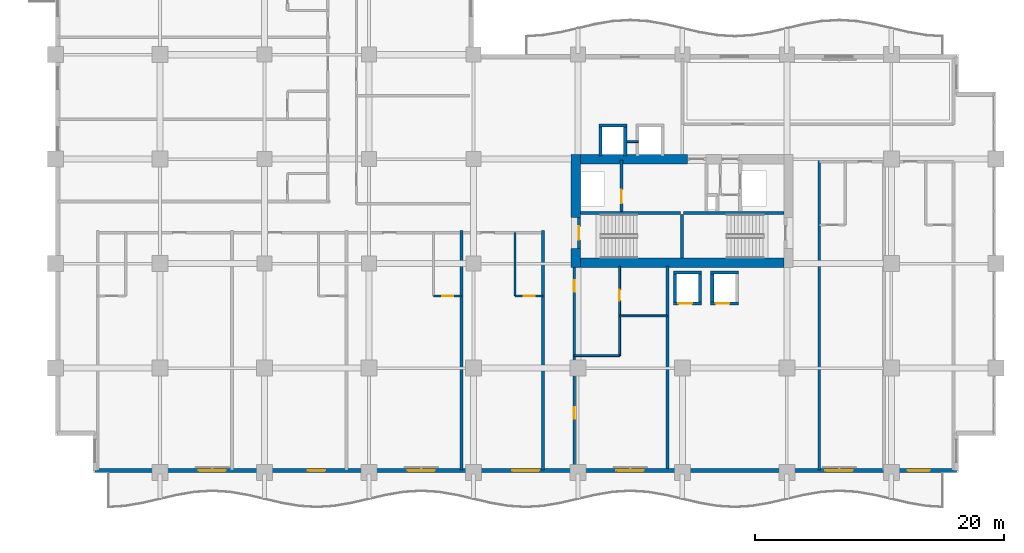
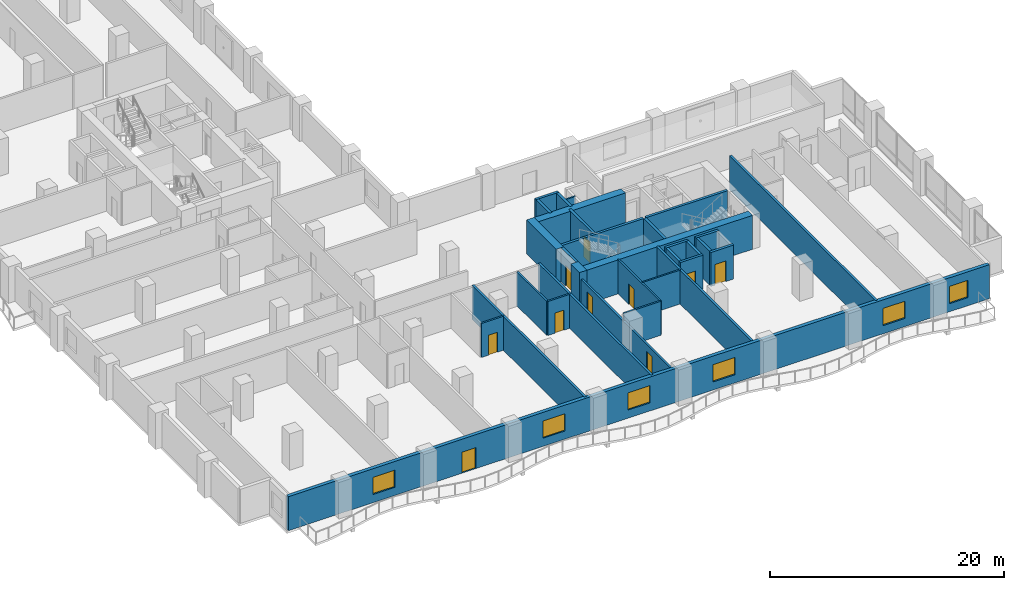
# One storey, part 10 of 23: 32 walls, 10 doors, 6 windows, 16 openings.
"""IFC4 building model written with IfcOpenShell, lengths in metres."""

from ifc_helpers import new_model, si_unit, direction, frame, frame_2d, origin, place, context, subcontext, project, spatial, rectangle, extrude, material, layer, layer_set, type_object, element, fill, save


model = new_model("IFC4")

# Units and contexts
model_context = context("Model", 3, precision=1e-05, world=origin(), true_north=direction((0.0, 1.0)))
body_context = subcontext(model_context, "Body", "Model", "MODEL_VIEW")
ifc_project = project(units=[si_unit("LENGTHUNIT", "METRE"), si_unit("AREAUNIT", "SQUARE_METRE"), si_unit("VOLUMEUNIT", "CUBIC_METRE"), si_unit("PLANEANGLEUNIT", "RADIAN"), si_unit("MASSUNIT", "GRAM", prefix="KILO")], contexts=[model_context])

# Site, building, storey
site_placement = place(None, origin())
site = spatial("IfcSite", under=ifc_project, at=site_placement, CompositionType="ELEMENT")
building_placement = place(site_placement, origin())
building = spatial("IfcBuilding", under=site, at=building_placement, Name="Koriwani Terraces Tower", CompositionType="ELEMENT")
storey_placement = place(building_placement, frame((0.0, 0.0, 119.0)))
storey = spatial("IfcBuildingStorey", under=building, at=storey_placement, Name="L28", CompositionType="ELEMENT", Elevation=119.0)

# Walls
ifc_material_1 = material(Name="Concrete C60/75", Category="concrete")
ifc_layer_1 = layer(ifc_material_1, 0.75, Name="Concrete C60/75")
ifc_layer_set_1 = layer_set([ifc_layer_1], Name="Concrete C60/75")
wall_type_1 = type_object("IfcWallType", Name="WALL_CORE_RC_750", PredefinedType="SHEAR", material=ifc_layer_set_1)
wall_1_placement = place(storey_placement, frame((41.824951171875, 16.5, 0.0), z_axis=(0.0, 0.0, 1.0), x_axis=(0.0, 1.0, 0.0)))
element("IfcWall", 1, at=wall_1_placement, inside=storey, type_object=wall_type_1, Name="L28 East Split Core Shear Wall W1", PredefinedType="SHEAR", context=body_context, shape_type="SweptSolid", body=[
    extrude(rectangle(XDim=1.5, YDim=0.75, at=frame_2d((0.75, 0.0))), origin(), (0.0, 0.0, 1.0), 3.550048828125),
])
wall_2_placement = place(storey_placement, frame((41.824951171875, 20.5, 0.0), z_axis=(0.0, 0.0, 1.0), x_axis=(0.0, 1.0, 0.0)))
element("IfcWall", 2, at=wall_2_placement, inside=storey, type_object=wall_type_1, Name="L28 East Split Core Shear Wall W2", PredefinedType="SHEAR", context=body_context, shape_type="SweptSolid", body=[
    extrude(rectangle(XDim=5.074951171875, YDim=0.75, at=frame_2d((2.53759765625, 0.0))), origin(), (0.0, 0.0, 1.0), 3.550048828125),
])
wall_3_placement = place(storey_placement, frame((42.199951171875, 16.875, 0.0), z_axis=(0.0, 0.0, 1.0), x_axis=(1.0, 0.0, 0.0)))
element("IfcWall", 3, at=wall_3_placement, inside=storey, type_object=wall_type_1, Name="L28 East Split Core Shear Wall S1", PredefinedType="SHEAR", context=body_context, shape_type="SweptSolid", body=[
    extrude(rectangle(XDim=16.35009765625, YDim=0.75, at=frame_2d((8.175048828125, 0.0))), origin(), (0.0, 0.0, 1.0), 3.550048828125),
])
wall_4_placement = place(storey_placement, frame((42.199951171875, 25.199951171875, 0.0), z_axis=(0.0, 0.0, 1.0), x_axis=(1.0, 0.0, 0.0)))
element("IfcWall", 4, at=wall_4_placement, inside=storey, type_object=wall_type_1, Name="L28 East Split Core Shear Wall N1", PredefinedType="SHEAR", context=body_context, shape_type="SweptSolid", body=[
    extrude(rectangle(XDim=8.60009765625, YDim=0.75, at=frame_2d((4.300048828125, 0.0))), origin(), (0.0, 0.0, 1.0), 3.550048828125),
])

# Wall, openings, doors
ifc_material_2 = material(Name="Autoclaved Cellular Concrete Blockwork", Category="masonry")
ifc_layer_2 = layer(ifc_material_2, 0.199951171875, Name="Autoclaved Cellular Concrete Blockwork")
ifc_layer_set_2 = layer_set([ifc_layer_2], Name="Autoclaved Cellular Concrete Blockwork")
wall_type_2 = type_object("IfcWallType", Name="WALL_CORRIDOR_200", PredefinedType="PARTITIONING", material=ifc_layer_set_2)
wall_5_placement = place(storey_placement, frame((41.699951171875, 0.35009765625, 0.0), z_axis=(0.0, 0.0, 1.0), x_axis=(0.0, 1.0, 0.0)))
wall_5 = element("IfcWall", 5, at=wall_5_placement, inside=storey, type_object=wall_type_2, Name="L28 Interior Wall WREC-EW-L28", PredefinedType="PARTITIONING", context=body_context, shape_type="SweptSolid", body=[
    extrude(rectangle(XDim=16.25, YDim=0.199951171875, at=frame_2d((8.125, 0.0))), origin(), (0.0, 0.0, 1.0), 2.800048828125),
])
opening_1_placement = place(wall_5_placement, frame((4.0, 0.0, 0.0)))
opening_1 = element("IfcOpeningElement", 6, at=opening_1_placement, cuts=wall_5, Name="Opening D-06", PredefinedType="OPENING", context=body_context, shape_type="SweptSolid", body=[
    extrude(rectangle(XDim=0.919921875, YDim=2.10009765625, at=frame_2d((0.4599609375, 1.050048828125))), frame((0.0, 0.10986328125, 0.0), z_axis=(0.0, -1.0, 0.0), x_axis=(1.0, 0.0, 0.0)), (0.0, 0.0, 1.0), 0.219970703125),
])
opening_2_placement = place(wall_5_placement, frame((14.199951171875, 0.0, 0.0)))
opening_2 = element("IfcOpeningElement", 7, at=opening_2_placement, cuts=wall_5, Name="Opening D-06", PredefinedType="OPENING", context=body_context, shape_type="SweptSolid", body=[
    extrude(rectangle(XDim=0.919921875, YDim=2.10009765625, at=frame_2d((0.4599609375, 1.050048828125))), frame((0.0, 0.10986328125, 0.0), z_axis=(0.0, -1.0, 0.0), x_axis=(1.0, 0.0, 0.0)), (0.0, 0.0, 1.0), 0.219970703125),
])
ifc_material_3 = material(Name="Architectural Oak Fire Door", Category="wood")
door_type_1 = type_object("IfcDoorType", Name="DOOR_ROOM_INT_920X2100", OperationType="NOTDEFINED", PredefinedType="DOOR", material=ifc_material_3)
door_1_placement = place(opening_1_placement, origin())
door_1 = element("IfcDoor", 8, at=door_1_placement, inside=storey, type_object=door_type_1, Name="L28 Floor Study Lounge Door", OperationType="SINGLE_SWING_LEFT", OverallHeight=2.10009765625, OverallWidth=0.919921875, PredefinedType="DOOR", context=body_context, shape_type="SweptSolid", body=[
    extrude(rectangle(XDim=0.919921875, YDim=2.10009765625, at=frame_2d((0.4599609375, 1.050048828125))), frame((0.0, 0.02490234375, 0.0), z_axis=(0.0, -1.0, 0.0), x_axis=(1.0, 0.0, 0.0)), (0.0, 0.0, 1.0), 0.050048828125),
])
fill(opening_1, door_1)
door_2_placement = place(opening_2_placement, origin())
door_2 = element("IfcDoor", 9, at=door_2_placement, inside=storey, type_object=door_type_1, Name="L28 Housekeeping Store Door", OperationType="SINGLE_SWING_RIGHT", OverallHeight=2.10009765625, OverallWidth=0.919921875, PredefinedType="DOOR", context=body_context, shape_type="SweptSolid", body=[
    extrude(rectangle(XDim=0.919921875, YDim=2.10009765625, at=frame_2d((0.4599609375, 1.050048828125))), frame((0.0, 0.02490234375, 0.0), z_axis=(0.0, -1.0, 0.0), x_axis=(1.0, 0.0, 0.0)), (0.0, 0.0, 1.0), 0.050048828125),
])
fill(opening_2, door_2)

# Walls
ifc_layer_3 = layer(ifc_material_2, 0.219970703125, Name="Autoclaved Cellular Concrete Blockwork")
ifc_layer_set_3 = layer_set([ifc_layer_3], Name="Autoclaved Cellular Concrete Blockwork")
wall_type_3 = type_object("IfcWallType", Name="WALL_DEMISING_220", PredefinedType="PARTITIONING", material=ifc_layer_set_3)
wall_6_placement = place(storey_placement, frame((49.199951171875, 0.35009765625, 0.0), z_axis=(0.0, 0.0, 1.0), x_axis=(0.0, 1.0, 0.0)))
element("IfcWall", 10, at=wall_6_placement, inside=storey, type_object=wall_type_3, Name="L28 Interior Wall WREC-EE-L28", PredefinedType="PARTITIONING", context=body_context, shape_type="SweptSolid", body=[
    extrude(rectangle(XDim=16.25, YDim=0.219970703125, at=frame_2d((8.125, 0.0))), origin(), (0.0, 0.0, 1.0), 3.550048828125),
])
for number, where, z_axis, x_axis, name in (
    (11, (32.64990234375, 0.199951171875, 0.0), (0.0, 0.0, 1.0), (0.0, 1.0, 0.0), "L28 Interior Wall WDEM-L28-SW-3"),
    (12, (39.199951171875, 0.199951171875, 0.0), (0.0, 0.0, 1.0), (0.0, 1.0, 0.0), "L28 Interior Wall WDEME-L28-SW"),
):
    element("IfcWall", number, at=place(storey_placement, frame(where, z_axis=z_axis, x_axis=x_axis)), inside=storey, type_object=wall_type_3, Name=name, PredefinedType="PARTITIONING", context=body_context, shape_type="SweptSolid", body=[
        extrude(rectangle(XDim=19.280029296875, YDim=0.219970703125, at=frame_2d((9.64013671875, 0.0))), origin(), (0.0, 0.0, 1.0), 3.550048828125),
    ])
wall_7_placement = place(storey_placement, frame((61.39990234375, 0.199951171875, 0.0), z_axis=(0.0, 0.0, 1.0), x_axis=(0.0, 1.0, 0.0)))
element("IfcWall", 13, at=wall_7_placement, inside=storey, type_object=wall_type_3, Name="L28 Interior Wall WDEM-L28-SE-0", PredefinedType="PARTITIONING", context=body_context, shape_type="SweptSolid", body=[
    extrude(rectangle(XDim=24.97998046875, YDim=0.219970703125, at=frame_2d((12.489990234375, 0.0))), origin(), (0.0, 0.0, 1.0), 3.550048828125),
])

# Wall, openings, door, windows
ifc_material_4 = material(Name="Concrete C50/60", Category="concrete")
ifc_layer_4 = layer(ifc_material_4, 0.35009765625, Name="Concrete C50/60")
ifc_layer_set_4 = layer_set([ifc_layer_4], Name="Concrete C50/60")
wall_type_4 = type_object("IfcWallType", Name="WALL_EXT_BRUTALIST_350", PredefinedType="STANDARD", material=ifc_layer_set_4)
wall_8_placement = place(storey_placement, frame((72.425048828125, 0.175048828125, 0.0), z_axis=(0.0, 0.0, 1.0), x_axis=(-1.0, 0.0, 0.0)))
wall_8 = element("IfcWall", 14, at=wall_8_placement, inside=storey, type_object=wall_type_4, Name="L28 Fair-Faced Brutalist Exterior Wall (S)", PredefinedType="STANDARD", context=body_context, shape_type="SweptSolid", body=[
    extrude(rectangle(XDim=69.25, YDim=0.35009765625, at=frame_2d((34.625, 0.0))), origin(), (0.0, 0.0, 1.0), 3.550048828125),
])
opening_3_placement = place(wall_8_placement, frame((50.72509765625, 0.0, 0.0)))
opening_3 = element("IfcOpeningElement", 15, at=opening_3_placement, cuts=wall_8, Name="Opening D-09", PredefinedType="OPENING", context=body_context, shape_type="SweptSolid", body=[
    extrude(rectangle(XDim=1.39990234375, YDim=2.199951171875, at=frame_2d((0.699951171875, 1.10009765625))), frame((0.0, 0.18505859375, 0.0), z_axis=(0.0, -1.0, 0.0), x_axis=(1.0, 0.0, 0.0)), (0.0, 0.0, 1.0), 0.3701171875),
])
opening_4_placement = place(wall_8_placement, frame((58.72509765625, 0.0, 0.85009765625)))
opening_4 = element("IfcOpeningElement", 16, at=opening_4_placement, cuts=wall_8, Name="Opening W-01", PredefinedType="OPENING", context=body_context, shape_type="SweptSolid", body=[
    extrude(rectangle(XDim=2.199951171875, YDim=1.800048828125, at=frame_2d((1.10009765625, 0.89990234375))), frame((0.0, 0.18505859375, 0.0), z_axis=(0.0, -1.0, 0.0), x_axis=(1.0, 0.0, 0.0)), (0.0, 0.0, 1.0), 0.3701171875),
])
opening_5_placement = place(wall_8_placement, frame((41.925048828125, 0.0, 0.85009765625)))
opening_5 = element("IfcOpeningElement", 17, at=opening_5_placement, cuts=wall_8, Name="Opening W-01", PredefinedType="OPENING", context=body_context, shape_type="SweptSolid", body=[
    extrude(rectangle(XDim=2.199951171875, YDim=1.800048828125, at=frame_2d((1.10009765625, 0.89990234375))), frame((0.0, 0.18505859375, 0.0), z_axis=(0.0, -1.0, 0.0), x_axis=(1.0, 0.0, 0.0)), (0.0, 0.0, 1.0), 0.3701171875),
])
opening_6_placement = place(wall_8_placement, frame((33.52490234375, 0.0, 0.85009765625)))
opening_6 = element("IfcOpeningElement", 18, at=opening_6_placement, cuts=wall_8, Name="Opening W-01", PredefinedType="OPENING", context=body_context, shape_type="SweptSolid", body=[
    extrude(rectangle(XDim=2.199951171875, YDim=1.800048828125, at=frame_2d((1.10009765625, 0.89990234375))), frame((0.0, 0.18505859375, 0.0), z_axis=(0.0, -1.0, 0.0), x_axis=(1.0, 0.0, 0.0)), (0.0, 0.0, 1.0), 0.3701171875),
])
opening_7_placement = place(wall_8_placement, frame((25.125, 0.0, 0.85009765625)))
opening_7 = element("IfcOpeningElement", 19, at=opening_7_placement, cuts=wall_8, Name="Opening W-01", PredefinedType="OPENING", context=body_context, shape_type="SweptSolid", body=[
    extrude(rectangle(XDim=2.199951171875, YDim=1.800048828125, at=frame_2d((1.10009765625, 0.89990234375))), frame((0.0, 0.18505859375, 0.0), z_axis=(0.0, -1.0, 0.0), x_axis=(1.0, 0.0, 0.0)), (0.0, 0.0, 1.0), 0.3701171875),
])
opening_8_placement = place(wall_8_placement, frame((8.324951171875, 0.0, 0.85009765625)))
opening_8 = element("IfcOpeningElement", 20, at=opening_8_placement, cuts=wall_8, Name="Opening W-01", PredefinedType="OPENING", context=body_context, shape_type="SweptSolid", body=[
    extrude(rectangle(XDim=2.199951171875, YDim=1.800048828125, at=frame_2d((1.10009765625, 0.89990234375))), frame((0.0, 0.18505859375, 0.0), z_axis=(0.0, -1.0, 0.0), x_axis=(1.0, 0.0, 0.0)), (0.0, 0.0, 1.0), 0.3701171875),
])
opening_9_placement = place(wall_8_placement, frame((2.125, 0.0, 0.85009765625)))
opening_9 = element("IfcOpeningElement", 21, at=opening_9_placement, cuts=wall_8, Name="Opening W-04", PredefinedType="OPENING", context=body_context, shape_type="SweptSolid", body=[
    extrude(rectangle(XDim=1.800048828125, YDim=1.800048828125, at=frame_2d((0.89990234375, 0.89990234375))), frame((0.0, 0.18505859375, 0.0), z_axis=(0.0, -1.0, 0.0), x_axis=(1.0, 0.0, 0.0)), (0.0, 0.0, 1.0), 0.3701171875),
])
ifc_material_5 = material(Name="Anodised Bronze Aluminium", Category="aluminium")
door_type_2 = type_object("IfcDoorType", Name="DOOR_BALCONY_GLAZED_1400X2200", OperationType="NOTDEFINED", PredefinedType="DOOR", material=ifc_material_5)
door_3_placement = place(opening_3_placement, origin())
door_3 = element("IfcDoor", 22, at=door_3_placement, inside=storey, type_object=door_type_2, Name="L28 South Balcony Glazed Door", OperationType="SINGLE_SWING_LEFT", OverallHeight=2.199951171875, OverallWidth=1.39990234375, PredefinedType="DOOR", context=body_context, shape_type="SweptSolid", body=[
    extrude(rectangle(XDim=1.39990234375, YDim=2.199951171875, at=frame_2d((0.699951171875, 1.10009765625))), frame((0.0, 0.02490234375, 0.0), z_axis=(0.0, -1.0, 0.0), x_axis=(1.0, 0.0, 0.0)), (0.0, 0.0, 1.0), 0.050048828125),
])
fill(opening_3, door_3)
ifc_material_6 = material(Name="Tempered Laminated Low-E Glass", Category="glass")
window_type_1 = type_object("IfcWindowType", Name="WIN_HOTEL_STD_2200X1800", PartitioningType="DOUBLE_PANEL_VERTICAL", PredefinedType="WINDOW", material=ifc_material_6)
window_1_placement = place(opening_4_placement, origin())
window_1 = element("IfcWindow", 23, at=window_1_placement, inside=storey, type_object=window_type_1, Name="L28 Exterior Window (S-3)", OverallHeight=1.800048828125, OverallWidth=2.199951171875, PartitioningType="SINGLE_PANEL", PredefinedType="WINDOW", context=body_context, shape_type="SweptSolid", body=[
    extrude(rectangle(XDim=2.199951171875, YDim=1.800048828125, at=frame_2d((1.10009765625, 0.89990234375))), frame((0.0, 0.030029296875, 0.0), z_axis=(0.0, -1.0, 0.0), x_axis=(1.0, 0.0, 0.0)), (0.0, 0.0, 1.0), 0.06005859375),
])
fill(opening_4, window_1)
window_2_placement = place(opening_5_placement, origin())
window_2 = element("IfcWindow", 24, at=window_2_placement, inside=storey, type_object=window_type_1, Name="L28 Exterior Window (S-9)", OverallHeight=1.800048828125, OverallWidth=2.199951171875, PartitioningType="SINGLE_PANEL", PredefinedType="WINDOW", context=body_context, shape_type="SweptSolid", body=[
    extrude(rectangle(XDim=2.199951171875, YDim=1.800048828125, at=frame_2d((1.10009765625, 0.89990234375))), frame((0.0, 0.030029296875, 0.0), z_axis=(0.0, -1.0, 0.0), x_axis=(1.0, 0.0, 0.0)), (0.0, 0.0, 1.0), 0.06005859375),
])
fill(opening_5, window_2)
window_3_placement = place(opening_6_placement, origin())
window_3 = element("IfcWindow", 25, at=window_3_placement, inside=storey, type_object=window_type_1, Name="L28 Exterior Window (S-12)", OverallHeight=1.800048828125, OverallWidth=2.199951171875, PartitioningType="SINGLE_PANEL", PredefinedType="WINDOW", context=body_context, shape_type="SweptSolid", body=[
    extrude(rectangle(XDim=2.199951171875, YDim=1.800048828125, at=frame_2d((1.10009765625, 0.89990234375))), frame((0.0, 0.030029296875, 0.0), z_axis=(0.0, -1.0, 0.0), x_axis=(1.0, 0.0, 0.0)), (0.0, 0.0, 1.0), 0.06005859375),
])
fill(opening_6, window_3)
window_4_placement = place(opening_7_placement, origin())
window_4 = element("IfcWindow", 26, at=window_4_placement, inside=storey, type_object=window_type_1, Name="L28 Exterior Window (S-15)", OverallHeight=1.800048828125, OverallWidth=2.199951171875, PartitioningType="SINGLE_PANEL", PredefinedType="WINDOW", context=body_context, shape_type="SweptSolid", body=[
    extrude(rectangle(XDim=2.199951171875, YDim=1.800048828125, at=frame_2d((1.10009765625, 0.89990234375))), frame((0.0, 0.030029296875, 0.0), z_axis=(0.0, -1.0, 0.0), x_axis=(1.0, 0.0, 0.0)), (0.0, 0.0, 1.0), 0.06005859375),
])
fill(opening_7, window_4)
window_5_placement = place(opening_8_placement, origin())
window_5 = element("IfcWindow", 27, at=window_5_placement, inside=storey, type_object=window_type_1, Name="L28 Exterior Window (S-21)", OverallHeight=1.800048828125, OverallWidth=2.199951171875, PartitioningType="SINGLE_PANEL", PredefinedType="WINDOW", context=body_context, shape_type="SweptSolid", body=[
    extrude(rectangle(XDim=2.199951171875, YDim=1.800048828125, at=frame_2d((1.10009765625, 0.89990234375))), frame((0.0, 0.030029296875, 0.0), z_axis=(0.0, -1.0, 0.0), x_axis=(1.0, 0.0, 0.0)), (0.0, 0.0, 1.0), 0.06005859375),
])
fill(opening_8, window_5)
window_type_2 = type_object("IfcWindowType", Name="WIN_RES_BED_1800X1800", PartitioningType="DOUBLE_PANEL_VERTICAL", PredefinedType="WINDOW", material=ifc_material_6)
window_6_placement = place(opening_9_placement, origin())
window_6 = element("IfcWindow", 28, at=window_6_placement, inside=storey, type_object=window_type_2, Name="L28 Exterior Window (S-R54)", OverallHeight=1.800048828125, OverallWidth=1.800048828125, PartitioningType="SINGLE_PANEL", PredefinedType="WINDOW", context=body_context, shape_type="SweptSolid", body=[
    extrude(rectangle(XDim=1.800048828125, YDim=1.800048828125, at=frame_2d((0.89990234375, 0.89990234375))), frame((0.0, 0.030029296875, 0.0), z_axis=(0.0, -1.0, 0.0), x_axis=(1.0, 0.0, 0.0)), (0.0, 0.0, 1.0), 0.06005859375),
])
fill(opening_9, window_6)

# Wall, opening, door
ifc_material_7 = material(Name="Fire-Rated Acoustic Gypsum Partition", Category="masonry")
ifc_layer_5 = layer(ifc_material_7, 0.179931640625, Name="Fire-Rated Acoustic Gypsum Partition")
ifc_layer_set_5 = layer_set([ifc_layer_5], Name="Fire-Rated Acoustic Gypsum Partition")
wall_type_5 = type_object("IfcWallType", Name="WALL_PLUMBING_180", PredefinedType="PLUMBINGWALL", material=ifc_layer_set_5)
wall_9_placement = place(storey_placement, frame((30.39990234375, 14.199951171875, 0.0), z_axis=(0.0, 0.0, 1.0), x_axis=(1.0, 0.0, 0.0)))
wall_9 = element("IfcWall", 29, at=wall_9_placement, inside=storey, type_object=wall_type_5, Name="L28 Interior Wall WBTH1-L28-SW-2", PredefinedType="PLUMBINGWALL", context=body_context, shape_type="SweptSolid", body=[
    extrude(rectangle(XDim=2.25, YDim=0.179931640625, at=frame_2d((1.125, 0.0))), origin(), (0.0, 0.0, 1.0), 3.550048828125),
])
opening_10_placement = place(wall_9_placement, frame((0.675048828125, 0.0, 0.0)))
opening_10 = element("IfcOpeningElement", 30, at=opening_10_placement, cuts=wall_9, Name="Opening D-07", PredefinedType="OPENING", context=body_context, shape_type="SweptSolid", body=[
    extrude(rectangle(XDim=0.89990234375, YDim=2.10009765625, at=frame_2d((0.449951171875, 1.050048828125))), frame((0.0, 0.10009765625, 0.0), z_axis=(0.0, -1.0, 0.0), x_axis=(1.0, 0.0, 0.0)), (0.0, 0.0, 1.0), 0.199951171875),
])
door_type_3 = type_object("IfcDoorType", Name="DOOR_BATH_INT_900X2100", OperationType="NOTDEFINED", PredefinedType="DOOR", material=ifc_material_3)
door_4_placement = place(opening_10_placement, origin())
door_4 = element("IfcDoor", 31, at=door_4_placement, inside=storey, type_object=door_type_3, Name="En-Suite Bathroom 28SW3 Door", OperationType="SINGLE_SWING_RIGHT", OverallHeight=2.10009765625, OverallWidth=0.89990234375, PredefinedType="DOOR", context=body_context, shape_type="SweptSolid", body=[
    extrude(rectangle(XDim=0.89990234375, YDim=2.10009765625, at=frame_2d((0.449951171875, 1.050048828125))), frame((0.0, 0.02490234375, 0.0), z_axis=(0.0, -1.0, 0.0), x_axis=(1.0, 0.0, 0.0)), (0.0, 0.0, 1.0), 0.050048828125),
])
fill(opening_10, door_4)

wall_10_placement = place(storey_placement, frame((36.949951171875, 14.199951171875, 0.0), z_axis=(0.0, 0.0, 1.0), x_axis=(1.0, 0.0, 0.0)))
wall_10 = element("IfcWall", 32, at=wall_10_placement, inside=storey, type_object=wall_type_5, Name="L28 Interior Wall WBTH1-L28-SW-3", PredefinedType="PLUMBINGWALL", context=body_context, shape_type="SweptSolid", body=[
    extrude(rectangle(XDim=2.25, YDim=0.179931640625, at=frame_2d((1.125, 0.0))), origin(), (0.0, 0.0, 1.0), 3.550048828125),
])
opening_11_placement = place(wall_10_placement, frame((0.675048828125, 0.0, 0.0)))
opening_11 = element("IfcOpeningElement", 33, at=opening_11_placement, cuts=wall_10, Name="Opening D-07", PredefinedType="OPENING", context=body_context, shape_type="SweptSolid", body=[
    extrude(rectangle(XDim=0.89990234375, YDim=2.10009765625, at=frame_2d((0.449951171875, 1.050048828125))), frame((0.0, 0.10009765625, 0.0), z_axis=(0.0, -1.0, 0.0), x_axis=(1.0, 0.0, 0.0)), (0.0, 0.0, 1.0), 0.199951171875),
])
door_5_placement = place(opening_11_placement, origin())
door_5 = element("IfcDoor", 34, at=door_5_placement, inside=storey, type_object=door_type_3, Name="En-Suite Bathroom 28SW4 Door", OperationType="SINGLE_SWING_RIGHT", OverallHeight=2.10009765625, OverallWidth=0.89990234375, PredefinedType="DOOR", context=body_context, shape_type="SweptSolid", body=[
    extrude(rectangle(XDim=0.89990234375, YDim=2.10009765625, at=frame_2d((0.449951171875, 1.050048828125))), frame((0.0, 0.02490234375, 0.0), z_axis=(0.0, -1.0, 0.0), x_axis=(1.0, 0.0, 0.0)), (0.0, 0.0, 1.0), 0.050048828125),
])
fill(opening_11, door_5)

# Walls
wall_11_placement = place(storey_placement, frame((36.949951171875, 14.199951171875, 0.0), z_axis=(0.0, 0.0, 1.0), x_axis=(0.0, 1.0, 0.0)))
element("IfcWall", 35, at=wall_11_placement, inside=storey, type_object=wall_type_5, Name="L28 Interior Wall WBTH2-L28-SW-3", PredefinedType="PLUMBINGWALL", context=body_context, shape_type="SweptSolid", body=[
    extrude(rectangle(XDim=5.10009765625, YDim=0.179931640625, at=frame_2d((2.550048828125, 0.0))), origin(), (0.0, 0.0, 1.0), 3.550048828125),
])
ifc_material_8 = material(Name="Concrete C40/50", Category="concrete")
ifc_layer_6 = layer(ifc_material_8, 0.25, Name="Concrete C40/50")
ifc_layer_set_6 = layer_set([ifc_layer_6], Name="Concrete C40/50")
wall_type_6 = type_object("IfcWallType", Name="WALL_SHAFT_RATED_250", PredefinedType="SOLIDWALL", material=ifc_layer_set_6)
for number, where, z_axis, x_axis, name in (
    (36, (42.199951171875, 20.875, 0.0), (0.0, 0.0, 1.0), (1.0, 0.0, 0.0), "L28 East Split Core Web Wall MID1"),
    (37, (50.5, 20.875, 0.0), (0.0, 0.0, 1.0), (1.0, 0.0, 0.0), "L28 East Split Core Web Wall MID2"),
):
    element("IfcWall", number, at=place(storey_placement, frame(where, z_axis=z_axis, x_axis=x_axis)), inside=storey, type_object=wall_type_6, Name=name, PredefinedType="SOLIDWALL", context=body_context, shape_type="SweptSolid", body=[
        extrude(rectangle(XDim=8.050048828125, YDim=0.25, at=frame_2d((4.02490234375, 0.0))), origin(), (0.0, 0.0, 1.0), 3.550048828125),
    ])
wall_12_placement = place(storey_placement, frame((50.375, 17.25, 0.0), z_axis=(0.0, 0.0, 1.0), x_axis=(0.0, 1.0, 0.0)))
element("IfcWall", 38, at=wall_12_placement, inside=storey, type_object=wall_type_6, Name="L28 East Split Core Stair Dividing Wall", PredefinedType="SOLIDWALL", context=body_context, shape_type="SweptSolid", body=[
    extrude(rectangle(XDim=3.5, YDim=0.25, at=frame_2d((1.75, 0.0))), origin(), (0.0, 0.0, 1.0), 3.550048828125),
])

# Wall, opening, door
wall_13_placement = place(storey_placement, frame((42.074951171875, 18.0, 0.0), z_axis=(0.0, 0.0, 1.0), x_axis=(0.0, 1.0, 0.0)))
wall_13 = element("IfcWall", 39, at=wall_13_placement, inside=storey, type_object=wall_type_6, Name="L28 Interior Wall WIN-CE-L28-STW", PredefinedType="SOLIDWALL", context=body_context, shape_type="SweptSolid", body=[
    extrude(rectangle(XDim=2.5, YDim=0.25, at=frame_2d((1.25, 0.0))), origin(), (0.0, 0.0, 1.0), 3.550048828125),
])
opening_12_placement = place(wall_13_placement, frame((0.699951171875, 0.0, 0.0)))
opening_12 = element("IfcOpeningElement", 40, at=opening_12_placement, cuts=wall_13, Name="Opening D-03", PredefinedType="OPENING", context=body_context, shape_type="SweptSolid", body=[
    extrude(rectangle(XDim=1.10009765625, YDim=2.14990234375, at=frame_2d((0.550048828125, 1.074951171875))), frame((0.0, 0.135009765625, 0.0), z_axis=(0.0, -1.0, 0.0), x_axis=(1.0, 0.0, 0.0)), (0.0, 0.0, 1.0), 0.27001953125),
])
ifc_material_9 = material(Name="Steel ASTM A572 Grade 50", Category="steel")
door_type_4 = type_object("IfcDoorType", Name="DOOR_STAIR_FIRE_1100X2150", OperationType="NOTDEFINED", PredefinedType="DOOR", material=ifc_material_9)
door_6_placement = place(opening_12_placement, origin())
door_6 = element("IfcDoor", 41, at=door_6_placement, inside=storey, type_object=door_type_4, Name="L28 Exit Stair ST-E1 Door", OperationType="SINGLE_SWING_RIGHT", OverallHeight=2.14990234375, OverallWidth=1.10009765625, PredefinedType="DOOR", context=body_context, shape_type="SweptSolid", body=[
    extrude(rectangle(XDim=1.10009765625, YDim=2.14990234375, at=frame_2d((0.550048828125, 1.074951171875))), frame((0.0, 0.02490234375, 0.0), z_axis=(0.0, -1.0, 0.0), x_axis=(1.0, 0.0, 0.0)), (0.0, 0.0, 1.0), 0.050048828125),
])
fill(opening_12, door_6)

wall_14_placement = place(storey_placement, frame((45.5, 21.0, 0.0), z_axis=(0.0, 0.0, 1.0), x_axis=(0.0, 1.0, 0.0)))
wall_14 = element("IfcWall", 42, at=wall_14_placement, inside=storey, type_object=wall_type_6, Name="L28 Interior Wall WIN-CE-L28-FE", PredefinedType="SOLIDWALL", context=body_context, shape_type="SweptSolid", body=[
    extrude(rectangle(XDim=4.14990234375, YDim=0.25, at=frame_2d((2.074951171875, 0.0))), origin(), (0.0, 0.0, 1.0), 3.550048828125),
])
opening_13_placement = place(wall_14_placement, frame((0.64990234375, 0.0, 0.0)))
opening_13 = element("IfcOpeningElement", 43, at=opening_13_placement, cuts=wall_14, Name="Opening LD-01", PredefinedType="OPENING", context=body_context, shape_type="SweptSolid", body=[
    extrude(rectangle(XDim=1.10009765625, YDim=2.14990234375, at=frame_2d((0.550048828125, 1.074951171875))), frame((0.0, 0.135009765625, 0.0), z_axis=(0.0, -1.0, 0.0), x_axis=(1.0, 0.0, 0.0)), (0.0, 0.0, 1.0), 0.27001953125),
])
door_type_5 = type_object("IfcDoorType", Name="DOOR_LIFT_LANDING_1100X2200", OperationType="NOTDEFINED", PredefinedType="DOOR", material=ifc_material_9)
door_7_placement = place(opening_13_placement, origin())
door_7 = element("IfcDoor", 44, at=door_7_placement, inside=storey, type_object=door_type_5, Name="L28 Firefighting Lift FE-02 Landing Door", OperationType="SLIDING_TO_LEFT", OverallHeight=2.14990234375, OverallWidth=1.10009765625, PredefinedType="DOOR", context=body_context, shape_type="SweptSolid", body=[
    extrude(rectangle(XDim=1.10009765625, YDim=2.14990234375, at=frame_2d((0.550048828125, 1.074951171875))), frame((0.0, 0.02490234375, 0.0), z_axis=(0.0, -1.0, 0.0), x_axis=(1.0, 0.0, 0.0)), (0.0, 0.0, 1.0), 0.050048828125),
])
fill(opening_13, door_7)

wall_15_placement = place(storey_placement, frame((49.675048828125, 13.60009765625, 0.0), z_axis=(0.0, 0.0, 1.0), x_axis=(1.0, 0.0, 0.0)))
wall_15 = element("IfcWall", 45, at=wall_15_placement, inside=storey, type_object=wall_type_6, Name="L28 Interior Wall WIN-LF-PE-M3-L28-F", PredefinedType="SOLIDWALL", context=body_context, shape_type="SweptSolid", body=[
    extrude(rectangle(XDim=2.25, YDim=0.25, at=frame_2d((1.125, 0.0))), origin(), (0.0, 0.0, 1.0), 3.550048828125),
])
opening_14_placement = place(wall_15_placement, frame((0.39990234375, 0.0, 0.0)))
opening_14 = element("IfcOpeningElement", 46, at=opening_14_placement, cuts=wall_15, Name="Opening LD-01", PredefinedType="OPENING", context=body_context, shape_type="SweptSolid", body=[
    extrude(rectangle(XDim=1.10009765625, YDim=2.14990234375, at=frame_2d((0.550048828125, 1.074951171875))), frame((0.0, 0.135009765625, 0.0), z_axis=(0.0, -1.0, 0.0), x_axis=(1.0, 0.0, 0.0)), (0.0, 0.0, 1.0), 0.27001953125),
])
door_8_placement = place(opening_14_placement, origin())
door_8 = element("IfcDoor", 47, at=door_8_placement, inside=storey, type_object=door_type_5, Name="L28 Passenger Lift PE-M3 Landing Door", OperationType="SLIDING_TO_LEFT", OverallHeight=2.14990234375, OverallWidth=1.10009765625, PredefinedType="DOOR", context=body_context, shape_type="SweptSolid", body=[
    extrude(rectangle(XDim=1.10009765625, YDim=2.14990234375, at=frame_2d((0.550048828125, 1.074951171875))), frame((0.0, 0.02490234375, 0.0), z_axis=(0.0, -1.0, 0.0), x_axis=(1.0, 0.0, 0.0)), (0.0, 0.0, 1.0), 0.050048828125),
])
fill(opening_14, door_8)

# Walls
for number, where, z_axis, x_axis, name in (
    (48, (49.675048828125, 16.10009765625, 0.0), (0.0, 0.0, 1.0), (1.0, 0.0, 0.0), "L28 Interior Wall WIN-LF-PE-M3-L28-B"),
    (49, (49.800048828125, 13.72509765625, 0.0), (0.0, 0.0, 1.0), (0.0, 1.0, 0.0), "L28 Interior Wall WIN-LF-PE-M3-L28-W"),
    (50, (51.800048828125, 13.72509765625, 0.0), (0.0, 0.0, 1.0), (0.0, 1.0, 0.0), "L28 Interior Wall WIN-LF-PE-M3-L28-E"),
):
    element("IfcWall", number, at=place(storey_placement, frame(where, z_axis=z_axis, x_axis=x_axis)), inside=storey, type_object=wall_type_6, Name=name, PredefinedType="SOLIDWALL", context=body_context, shape_type="SweptSolid", body=[
        extrude(rectangle(XDim=2.25, YDim=0.25, at=frame_2d((1.125, 0.0))), origin(), (0.0, 0.0, 1.0), 3.550048828125),
    ])

# Wall, opening, door
wall_16_placement = place(storey_placement, frame((52.675048828125, 13.60009765625, 0.0), z_axis=(0.0, 0.0, 1.0), x_axis=(1.0, 0.0, 0.0)))
wall_16 = element("IfcWall", 51, at=wall_16_placement, inside=storey, type_object=wall_type_6, Name="L28 Interior Wall WIN-LF-PE-M4-L28-F", PredefinedType="SOLIDWALL", context=body_context, shape_type="SweptSolid", body=[
    extrude(rectangle(XDim=2.25, YDim=0.25, at=frame_2d((1.125, 0.0))), origin(), (0.0, 0.0, 1.0), 3.550048828125),
])
opening_15_placement = place(wall_16_placement, frame((0.39990234375, 0.0, 0.0)))
opening_15 = element("IfcOpeningElement", 52, at=opening_15_placement, cuts=wall_16, Name="Opening LD-01", PredefinedType="OPENING", context=body_context, shape_type="SweptSolid", body=[
    extrude(rectangle(XDim=1.10009765625, YDim=2.14990234375, at=frame_2d((0.550048828125, 1.074951171875))), frame((0.0, 0.135009765625, 0.0), z_axis=(0.0, -1.0, 0.0), x_axis=(1.0, 0.0, 0.0)), (0.0, 0.0, 1.0), 0.27001953125),
])
door_9_placement = place(opening_15_placement, origin())
door_9 = element("IfcDoor", 53, at=door_9_placement, inside=storey, type_object=door_type_5, Name="L28 Passenger Lift PE-M4 Landing Door", OperationType="SLIDING_TO_LEFT", OverallHeight=2.14990234375, OverallWidth=1.10009765625, PredefinedType="DOOR", context=body_context, shape_type="SweptSolid", body=[
    extrude(rectangle(XDim=1.10009765625, YDim=2.14990234375, at=frame_2d((0.550048828125, 1.074951171875))), frame((0.0, 0.02490234375, 0.0), z_axis=(0.0, -1.0, 0.0), x_axis=(1.0, 0.0, 0.0)), (0.0, 0.0, 1.0), 0.050048828125),
])
fill(opening_15, door_9)

# Walls
for number, where, z_axis, x_axis, name in (
    (54, (52.675048828125, 16.10009765625, 0.0), (0.0, 0.0, 1.0), (1.0, 0.0, 0.0), "L28 Interior Wall WIN-LF-PE-M4-L28-B"),
    (55, (52.800048828125, 13.72509765625, 0.0), (0.0, 0.0, 1.0), (0.0, 1.0, 0.0), "L28 Interior Wall WIN-LF-PE-M4-L28-W"),
    (56, (43.675048828125, 27.89990234375, 0.0), (0.0, 0.0, 1.0), (1.0, 0.0, 0.0), "L28 Interior Wall WIN-LF-PE-H3-L28-F"),
):
    element("IfcWall", number, at=place(storey_placement, frame(where, z_axis=z_axis, x_axis=x_axis)), inside=storey, type_object=wall_type_6, Name=name, PredefinedType="SOLIDWALL", context=body_context, shape_type="SweptSolid", body=[
        extrude(rectangle(XDim=2.25, YDim=0.25, at=frame_2d((1.125, 0.0))), origin(), (0.0, 0.0, 1.0), 3.550048828125),
    ])
for number, where, z_axis, x_axis, name in (
    (57, (43.800048828125, 25.449951171875, 0.0), (0.0, 0.0, 1.0), (0.0, 1.0, 0.0), "L28 Interior Wall WIN-LF-PE-H3-L28-W"),
    (58, (45.800048828125, 25.449951171875, 0.0), (0.0, 0.0, 1.0), (0.0, 1.0, 0.0), "L28 Interior Wall WIN-LF-PE-H3-L28-E"),
):
    element("IfcWall", number, at=place(storey_placement, frame(where, z_axis=z_axis, x_axis=x_axis)), inside=storey, type_object=wall_type_6, Name=name, PredefinedType="SOLIDWALL", context=body_context, shape_type="SweptSolid", body=[
        extrude(rectangle(XDim=2.324951171875, YDim=0.25, at=frame_2d((1.16259765625, 0.0))), origin(), (0.0, 0.0, 1.0), 3.550048828125),
    ])
ifc_layer_7 = layer(ifc_material_7, 0.159912109375, Name="Fire-Rated Acoustic Gypsum Partition")
ifc_layer_set_7 = layer_set([ifc_layer_7], Name="Fire-Rated Acoustic Gypsum Partition")
wall_type_7 = type_object("IfcWallType", Name="WALL_SUITE_160", PredefinedType="PARTITIONING", material=ifc_layer_set_7)
wall_17_placement = place(storey_placement, frame((45.9599609375, 26.60009765625, 0.0), z_axis=(0.0, 0.0, 1.0), x_axis=(1.0, 0.0, 0.0)))
element("IfcWall", 59, at=wall_17_placement, inside=storey, type_object=wall_type_7, Name="L28 Interior Wall WIN-LF-PEH34-MID-L28", PredefinedType="PARTITIONING", context=body_context, shape_type="SweptSolid", body=[
    extrude(rectangle(XDim=0.880126953125, YDim=0.159912109375, at=frame_2d((0.43994140625, 0.0))), origin(), (0.0, 0.0, 1.0), 3.550048828125),
])
wall_18_placement = place(storey_placement, frame((41.699951171875, 9.39990234375, 0.0), z_axis=(0.0, 0.0, 1.0), x_axis=(1.0, 0.0, 0.0)))
element("IfcWall", 60, at=wall_18_placement, inside=storey, type_object=wall_type_7, Name="L28 Interior Wall WREC-EM1-L28", PredefinedType="PARTITIONING", context=body_context, shape_type="SweptSolid", body=[
    extrude(rectangle(XDim=3.650146484375, YDim=0.159912109375, at=frame_2d((1.8251953125, 0.0))), origin(), (0.0, 0.0, 1.0), 3.550048828125),
])
wall_19_placement = place(storey_placement, frame((45.35009765625, 12.60009765625, 0.0), z_axis=(0.0, 0.0, 1.0), x_axis=(1.0, 0.0, 0.0)))
element("IfcWall", 61, at=wall_19_placement, inside=storey, type_object=wall_type_7, Name="L28 Interior Wall WREC-EM2-L28", PredefinedType="PARTITIONING", context=body_context, shape_type="SweptSolid", body=[
    extrude(rectangle(XDim=3.849853515625, YDim=0.159912109375, at=frame_2d((1.9248046875, 0.0))), origin(), (0.0, 0.0, 1.0), 3.550048828125),
])

# Wall, opening, door
wall_20_placement = place(storey_placement, frame((45.35009765625, 9.39990234375, 0.0), z_axis=(0.0, 0.0, 1.0), x_axis=(0.0, 1.0, 0.0)))
wall_20 = element("IfcWall", 62, at=wall_20_placement, inside=storey, type_object=wall_type_7, Name="L28 Interior Wall WREC-EV-L28", PredefinedType="PARTITIONING", context=body_context, shape_type="SweptSolid", body=[
    extrude(rectangle(XDim=7.2001953125, YDim=0.159912109375, at=frame_2d((3.60009765625, 0.0))), origin(), (0.0, 0.0, 1.0), 3.550048828125),
])
opening_16_placement = place(wall_20_placement, frame((4.39990234375, 0.0, 0.0)))
opening_16 = element("IfcOpeningElement", 63, at=opening_16_placement, cuts=wall_20, Name="Opening D-07", PredefinedType="OPENING", context=body_context, shape_type="SweptSolid", body=[
    extrude(rectangle(XDim=0.89990234375, YDim=2.10009765625, at=frame_2d((0.449951171875, 1.050048828125))), frame((0.0, 0.08984375, 0.0), z_axis=(0.0, -1.0, 0.0), x_axis=(1.0, 0.0, 0.0)), (0.0, 0.0, 1.0), 0.179931640625),
])
door_10_placement = place(opening_16_placement, origin())
door_10 = element("IfcDoor", 64, at=door_10_placement, inside=storey, type_object=door_type_3, Name="L28 Guest Ice Pantry Door", OperationType="SINGLE_SWING_RIGHT", OverallHeight=2.10009765625, OverallWidth=0.89990234375, PredefinedType="DOOR", context=body_context, shape_type="SweptSolid", body=[
    extrude(rectangle(XDim=0.89990234375, YDim=2.10009765625, at=frame_2d((0.449951171875, 1.050048828125))), frame((0.0, 0.02490234375, 0.0), z_axis=(0.0, -1.0, 0.0), x_axis=(1.0, 0.0, 0.0)), (0.0, 0.0, 1.0), 0.050048828125),
])
fill(opening_16, door_10)

save(model, "model.ifc")
